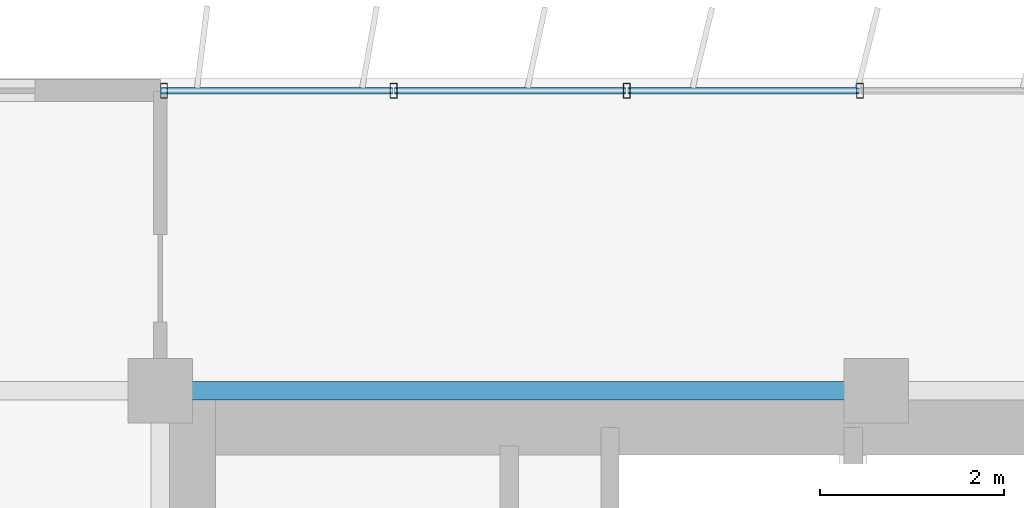
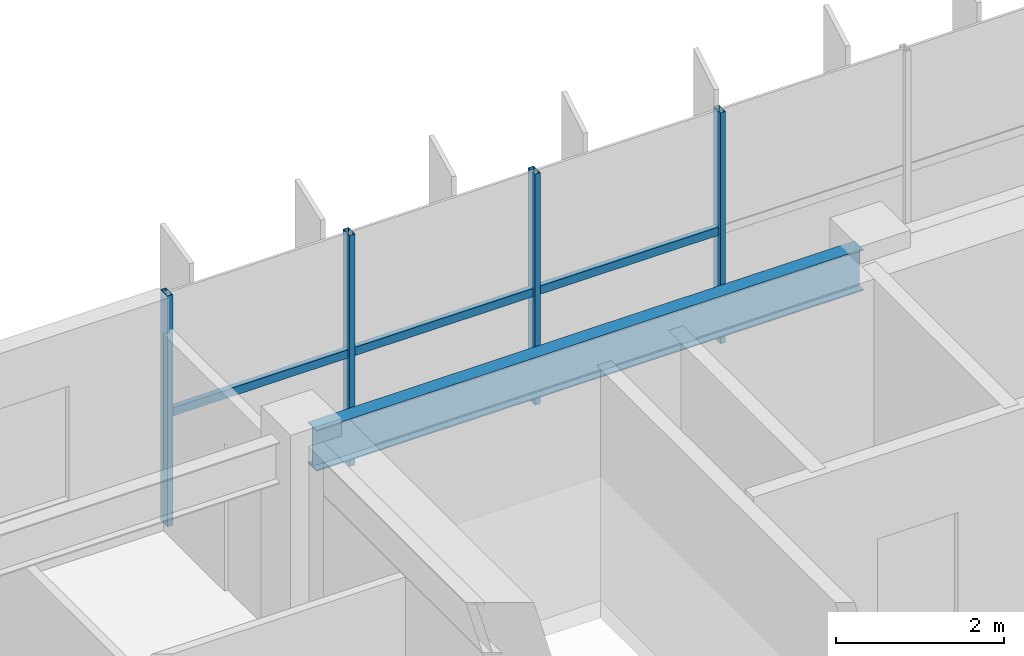
# One storey, part 4 of 22: 7 members, 1 beam, 1 element without a shape of its own.
"""IFC4 building model written with IfcOpenShell, lengths in metres."""

from ifc_helpers import new_model, si_unit, direction, frame, origin, origin_2d, place, context, subcontext, project, spatial, hollow_rectangle, i_section, extrude, source, transform, mapped, material, material_profile, profile_set, type_object, element, aggregate, save


model = new_model("IFC4")

# Units and contexts
model_context = context("Model", 3, precision=1e-05, world=origin(), true_north=direction((0.0, 1.0)))
body_context = subcontext(model_context, "Body", "Model", "MODEL_VIEW")
ifc_project = project(units=[si_unit("LENGTHUNIT", "METRE"), si_unit("AREAUNIT", "SQUARE_METRE"), si_unit("VOLUMEUNIT", "CUBIC_METRE"), si_unit("PLANEANGLEUNIT", "RADIAN"), si_unit("MASSUNIT", "GRAM", prefix="KILO")], contexts=[model_context])

# Site, building, storey
site_placement = place(None, origin())
site = spatial("IfcSite", under=ifc_project, at=site_placement, CompositionType="ELEMENT")
building_placement = place(site_placement, origin())
building = spatial("IfcBuilding", under=site, at=building_placement, Name="Trelvane Seafront Commons", CompositionType="ELEMENT")
storey_placement = place(building_placement, frame((0.0, 0.0, 139.300048828125)))
storey = spatial("IfcBuildingStorey", under=building, at=storey_placement, Name="L36", CompositionType="ELEMENT", Elevation=139.300048828125)

# Beam
ifc_material_1 = material(Name="Steel SM355 (S355)", Category="steel")
ifc_material_profile_1 = material_profile(ifc_material_1, i_section(OverallWidth=0.199951171875, OverallDepth=0.60009765625, WebThickness=0.010986328125, FlangeThickness=0.01708984375, at=origin_2d()), Name="H-600x200x11x17")
ifc_profile_set_1 = profile_set([ifc_material_profile_1], Name="Steel SM355 (S355)")
beam_type = type_object("IfcBeamType", Name="STR-SPD-H600", PredefinedType="SPANDREL", material=ifc_profile_set_1)
shared_shape_1 = source(origin(), body_context, "Body", "SweptSolid", [
    extrude(i_section(OverallWidth=0.199951171875, OverallDepth=0.60009765625, WebThickness=0.010986328125, FlangeThickness=0.01708984375, at=origin_2d()), origin(), (0.0, 0.0, 1.0), 7.5),
])
beam_placement = place(storey_placement, frame((15.75, 45.10009765625, 3.050048828125), z_axis=(1.0, 0.0, 0.0), x_axis=(0.0, 1.0, 0.0)))
element("IfcBeam", 1, at=beam_placement, inside=storey, type_object=beam_type, Name="L36 Primary Girder G-23", PredefinedType="SPANDREL", context=body_context, shape_type="MappedRepresentation", body=[
    mapped(shared_shape_1, transform((0.0, 0.0, 0.0), x_axis=(1.0, 0.0, 0.0), y_axis=(0.0, 1.0, 0.0), z_axis=(0.0, 0.0, 1.0), scale=1.0)),
])

# Curtain wall, members
ifc_material_2 = material(Name="Anodised pale-silver aluminium", Category="aluminium")
curtain_wall_type = type_object("IfcCurtainWallType", Name="ARCH-CW5-UPTOWER", PredefinedType="NOTDEFINED", material=ifc_material_2)
curtain_wall_placement = place(storey_placement, origin())
curtain_wall = element("IfcCurtainWall", 2, at=curtain_wall_placement, inside=storey, type_object=curtain_wall_type, Name="CW-L36-0063", PredefinedType="NOTDEFINED")
ifc_material_profile_2 = material_profile(ifc_material_2, hollow_rectangle(XDim=0.070068359375, YDim=0.1201171875, WallThickness=0.00390625, at=origin_2d()), Name="TRAN-70x120x4")
ifc_profile_set_2 = profile_set([ifc_material_profile_2], Name="Anodised pale-silver aluminium")
member_type_1 = type_object("IfcMemberType", Name="ARCH-CW-TRAN-120", PredefinedType="USERDEFINED", material=ifc_profile_set_2)
shared_shape_2 = source(origin(), body_context, "Body", "SweptSolid", [
    extrude(hollow_rectangle(XDim=0.070068359375, YDim=0.1201171875, WallThickness=0.00390625, at=origin_2d()), origin(), (0.0, 0.0, 1.0), 2.51708984375),
])
member_1_placement = place(storey_placement, frame((15.612060546875, 48.3701171875, 1.60791015625), z_axis=(1.0, 0.0, 0.0), x_axis=(0.0, 1.0, 0.0)))
member_1 = element("IfcMember", 3, at=member_1_placement, type_object=member_type_1, Name="CW-L36-0063-T00", ObjectType="TRANSOM", PredefinedType="USERDEFINED", context=body_context, shape_type="MappedRepresentation", body=[
    mapped(shared_shape_2, transform((0.0, 0.0, 0.0), x_axis=(1.0, 0.0, 0.0), y_axis=(0.0, 1.0, 0.0), z_axis=(0.0, 0.0, 1.0), scale=1.0)),
])
member_2_placement = place(storey_placement, frame((18.1533203125, 48.3701171875, 1.60791015625), z_axis=(1.0, 0.0, 0.0), x_axis=(0.0, 1.0, 0.0)))
member_2 = element("IfcMember", 4, at=member_2_placement, type_object=member_type_1, Name="CW-L36-0063-T01", ObjectType="TRANSOM", PredefinedType="USERDEFINED", context=body_context, shape_type="MappedRepresentation", body=[
    mapped(shared_shape_2, transform((0.0, 0.0, 0.0), x_axis=(1.0, 0.0, 0.0), y_axis=(0.0, 1.0, 0.0), z_axis=(0.0, 0.0, 1.0), scale=1.0)),
])
member_3_placement = place(storey_placement, frame((20.6943359375, 48.3701171875, 1.60791015625), z_axis=(1.0, 0.0, 0.0), x_axis=(0.0, 1.0, 0.0)))
member_3 = element("IfcMember", 5, at=member_3_placement, type_object=member_type_1, Name="CW-L36-0063-T02", ObjectType="TRANSOM", PredefinedType="USERDEFINED", context=body_context, shape_type="MappedRepresentation", body=[
    mapped(shared_shape_2, transform((0.0, 0.0, 0.0), x_axis=(1.0, 0.0, 0.0), y_axis=(0.0, 1.0, 0.0), z_axis=(0.0, 0.0, 1.0), scale=1.0)),
])
ifc_material_profile_3 = material_profile(ifc_material_2, hollow_rectangle(XDim=0.074951171875, YDim=0.159912109375, WallThickness=0.00390625, at=origin_2d()), Name="MULL-75x160x4")
ifc_profile_set_3 = profile_set([ifc_material_profile_3], Name="Anodised pale-silver aluminium")
member_type_2 = type_object("IfcMemberType", Name="ARCH-CW-MULL-160", PredefinedType="MULLION", material=ifc_profile_set_3)
shared_shape_3 = source(origin(), body_context, "Body", "SweptSolid", [
    extrude(hollow_rectangle(XDim=0.074951171875, YDim=0.159912109375, WallThickness=0.00390625, at=origin_2d()), origin(), (0.0, 0.0, 1.0), 3.349853515625),
])
member_4_placement = place(storey_placement, frame((15.639892578125, 48.3701171875, 0.0), z_axis=(0.0, 0.0, 1.0), x_axis=(1.0, 0.0, 0.0)))
member_4 = element("IfcMember", 6, at=member_4_placement, type_object=member_type_2, Name="CW-L36-0063-M00", PredefinedType="MULLION", context=body_context, shape_type="MappedRepresentation", body=[
    mapped(shared_shape_3, transform((0.0, 0.0, 0.0), x_axis=(1.0, 0.0, 0.0), y_axis=(0.0, 1.0, 0.0), z_axis=(0.0, 0.0, 1.0), scale=1.0)),
])
member_5_placement = place(storey_placement, frame((18.14111328125, 48.3701171875, 0.0), z_axis=(0.0, 0.0, 1.0), x_axis=(1.0, 0.0, 0.0)))
member_5 = element("IfcMember", 7, at=member_5_placement, type_object=member_type_2, Name="CW-L36-0063-M01", PredefinedType="MULLION", context=body_context, shape_type="MappedRepresentation", body=[
    mapped(shared_shape_3, transform((0.0, 0.0, 0.0), x_axis=(1.0, 0.0, 0.0), y_axis=(0.0, 1.0, 0.0), z_axis=(0.0, 0.0, 1.0), scale=1.0)),
])
member_6_placement = place(storey_placement, frame((20.682373046875, 48.3701171875, 0.0), z_axis=(0.0, 0.0, 1.0), x_axis=(1.0, 0.0, 0.0)))
member_6 = element("IfcMember", 8, at=member_6_placement, type_object=member_type_2, Name="CW-L36-0063-M02", PredefinedType="MULLION", context=body_context, shape_type="MappedRepresentation", body=[
    mapped(shared_shape_3, transform((0.0, 0.0, 0.0), x_axis=(1.0, 0.0, 0.0), y_axis=(0.0, 1.0, 0.0), z_axis=(0.0, 0.0, 1.0), scale=1.0)),
])
member_7_placement = place(storey_placement, frame((23.223388671875, 48.3701171875, 0.0), z_axis=(0.0, 0.0, 1.0), x_axis=(1.0, 0.0, 0.0)))
member_7 = element("IfcMember", 9, at=member_7_placement, type_object=member_type_2, Name="CW-L36-0063-M03", PredefinedType="MULLION", context=body_context, shape_type="MappedRepresentation", body=[
    mapped(shared_shape_3, transform((0.0, 0.0, 0.0), x_axis=(1.0, 0.0, 0.0), y_axis=(0.0, 1.0, 0.0), z_axis=(0.0, 0.0, 1.0), scale=1.0)),
])
aggregate(curtain_wall, [member_4, member_5, member_6, member_7, member_1, member_2, member_3])

save(model, "model.ifc")
